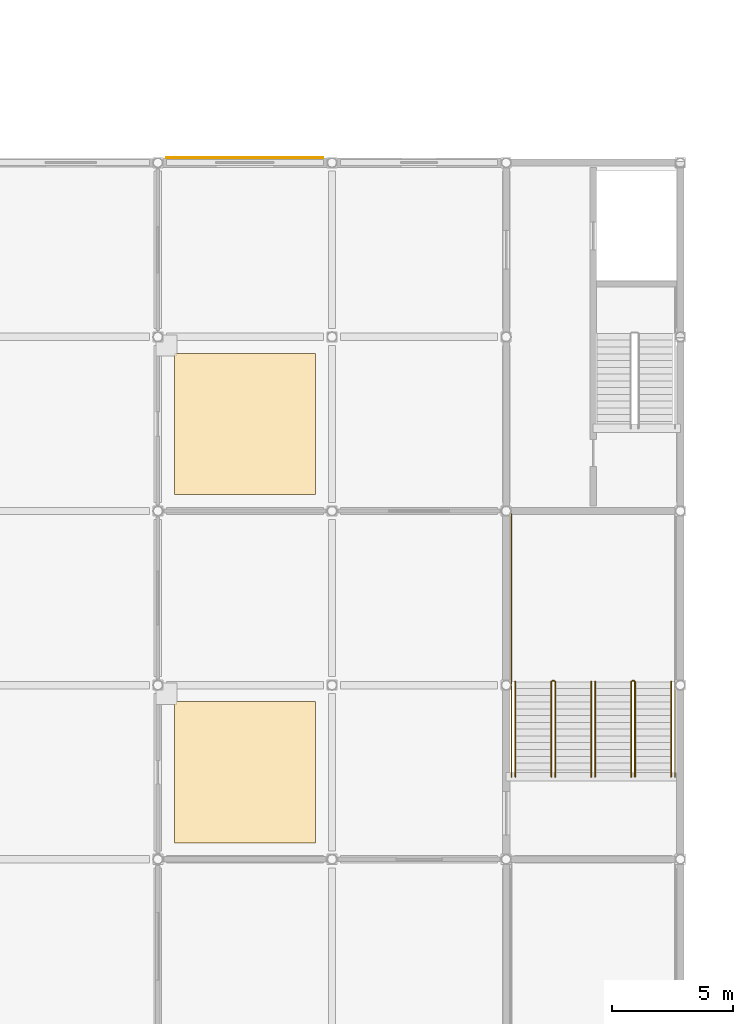
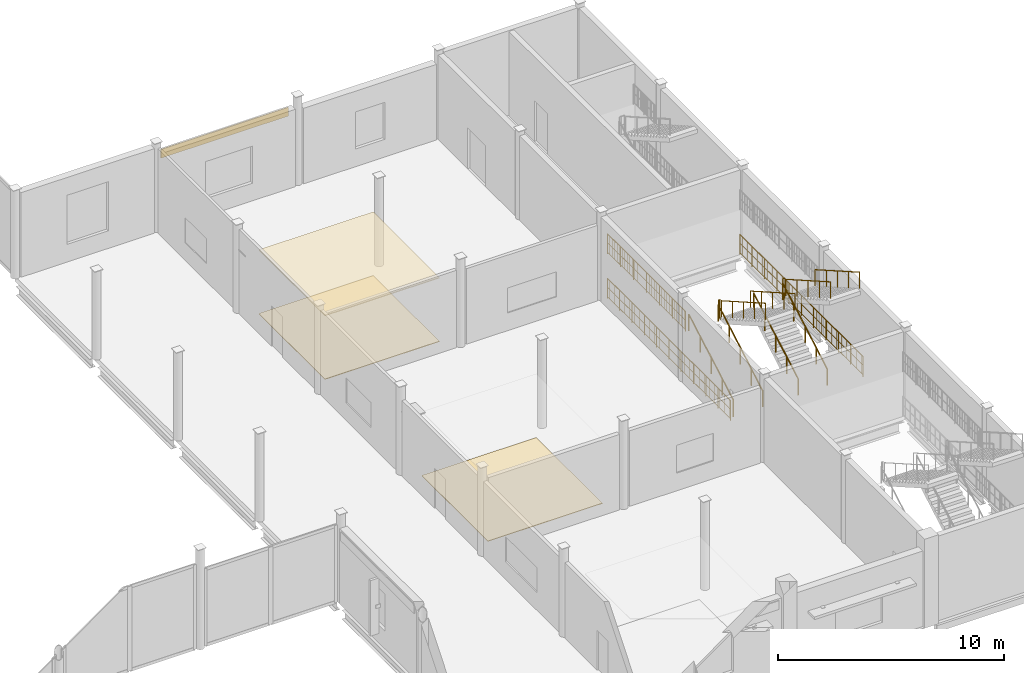
# One storey, part 119 of 120: 13 railings, 4 coverings.
"""IFC4 building model written with IfcOpenShell, lengths in metres."""

from ifc_helpers import new_model, si_unit, direction, frame, frame_2d, origin, origin_2d, place, context, subcontext, project, spatial, polyline, rectangle, circle, outline, extrude, material, layer, layer_set, type_object, element, save


model = new_model("IFC4")

# Units and contexts
model_context = context("Model", 3, precision=1e-05, world=origin(), true_north=direction((0.0, 1.0)))
body_context = subcontext(model_context, "Body", "Model", "MODEL_VIEW")
ifc_project = project(units=[si_unit("LENGTHUNIT", "METRE"), si_unit("AREAUNIT", "SQUARE_METRE"), si_unit("VOLUMEUNIT", "CUBIC_METRE"), si_unit("PLANEANGLEUNIT", "RADIAN"), si_unit("MASSUNIT", "GRAM", prefix="KILO")], contexts=[model_context])

# Site, building, storey
site_placement = place(None, origin())
site = spatial("IfcSite", under=ifc_project, at=site_placement, CompositionType="ELEMENT")
building_placement = place(site_placement, origin())
building = spatial("IfcBuilding", under=site, at=building_placement, Name="Vesperath Aquatics Centre", CompositionType="ELEMENT")
storey_placement = place(building_placement, frame((0.0, 0.0, 10.199951171875)))
storey = spatial("IfcBuildingStorey", under=building, at=storey_placement, Name="L02", CompositionType="ELEMENT", Elevation=10.199951171875)

# Coverings
ifc_material_1 = material(Name="Teal and ochre glazed ceramic majolica frieze", Category="ceramic")
ifc_layer_1 = layer(ifc_material_1, 0.0400390625)
ifc_layer_set_1 = layer_set([ifc_layer_1], Name="Teal and ochre glazed ceramic majolica frieze")
covering_type_1 = type_object("IfcCoveringType", Name="CV-CLD01", PredefinedType="CLADDING", material=ifc_layer_set_1)
covering_1_placement = place(storey_placement, frame((151.55322265625, 93.81005859375, 3.6201171875), z_axis=(0.0, 0.0, 1.0), x_axis=(1.0, 0.0, 0.0)))
element("IfcCovering", 1, at=covering_1_placement, inside=storey, type_object=covering_type_1, Name="Majolica Ceramic Frieze CLD1 L02_N_21_13", PredefinedType="CLADDING", context=body_context, shape_type="SweptSolid", body=[
    extrude(rectangle(XDim=6.49365234375, YDim=0.0400390625, at=frame_2d((3.246826171875, 0.0))), origin(), (0.0, 0.0, 1.0), 0.469970703125),
])
ifc_material_2 = material(Name="Perforated moisture-resistant acoustic mineral-fibre ceiling", Category="gypsum")
ifc_layer_2 = layer(ifc_material_2, 0.044921875)
ifc_layer_set_2 = layer_set([ifc_layer_2], Name="Perforated moisture-resistant acoustic mineral-fibre ceiling")
covering_type_2 = type_object("IfcCoveringType", Name="CV-CLG01", PredefinedType="CEILING", material=ifc_layer_set_2)
covering_2_placement = place(storey_placement, frame((0.0, 0.0, 3.425048828125)))
element("IfcCovering", 2, at=covering_2_placement, inside=storey, type_object=covering_type_2, Name="Acoustic Suspended Ceiling CLG1 L02_CLUB_3", PredefinedType="CEILING", context=body_context, shape_type="SweptSolid", body=[
    extrude(outline(polyline([(151.8798828125, 79.8798828125), (157.719970703125, 79.8798828125), (157.719970703125, 85.719970703125), (151.8798828125, 85.719970703125), (151.8798828125, 79.8798828125)])), origin(), (0.0, 0.0, 1.0), 0.044921875),
])
ifc_material_3 = material(Name="Slip-resistant vitrified ceramic and terrazzo flooring", Category="ceramic")
ifc_layer_3 = layer(ifc_material_3, 0.030029296875)
ifc_layer_set_3 = layer_set([ifc_layer_3], Name="Slip-resistant vitrified ceramic and terrazzo flooring")
covering_type_3 = type_object("IfcCoveringType", Name="CV-FLR01", PredefinedType="FLOORING", material=ifc_layer_set_3)
covering_3_placement = place(storey_placement, origin())
element("IfcCovering", 3, at=covering_3_placement, inside=storey, type_object=covering_type_3, Name="Slip-Resistant Floor Finish FLR1 L02_CLUB_2", PredefinedType="FLOORING", context=body_context, shape_type="SweptSolid", body=[
    extrude(outline(polyline([(151.8798828125, 65.47998046875), (157.719970703125, 65.47998046875), (157.719970703125, 71.320068359375), (151.8798828125, 71.320068359375), (151.8798828125, 65.47998046875)])), origin(), (0.0, 0.0, 1.0), 0.030029296875),
])
covering_4_placement = place(storey_placement, origin())
element("IfcCovering", 4, at=covering_4_placement, inside=storey, type_object=covering_type_3, Name="Slip-Resistant Floor Finish FLR1 L02_CLUB_3", PredefinedType="FLOORING", context=body_context, shape_type="SweptSolid", body=[
    extrude(outline(polyline([(151.8798828125, 79.8798828125), (157.719970703125, 79.8798828125), (157.719970703125, 85.719970703125), (151.8798828125, 85.719970703125), (151.8798828125, 79.8798828125)])), origin(), (0.0, 0.0, 1.0), 0.030029296875),
])

# Railings
ifc_material_4 = material(Name="Powder-coated galvanized steel safety guard", Category="steel")
railing_type_1 = type_object("IfcRailingType", Name="RL-GRD01", PredefinedType="GUARDRAIL", material=ifc_material_4)
railing_1_placement = place(storey_placement, frame((167.5, 72.179931640625, 2.400146484375)))
element("IfcRailing", 5, at=railing_1_placement, inside=storey, type_object=railing_type_1, Name="Stair ST13A Half-Landing Slot Guard GR02 L02", PredefinedType="GUARDRAIL", context=body_context, shape_type="SweptSolid", body=[
    extrude(circle(Radius=0.02392578125, at=origin_2d()), frame((0.0, 0.0, 1.0859375), z_axis=(1.0, 0.0, 0.0), x_axis=(0.0, 1.0, 0.0)), (0.0, 0.0, 1.0), 0.10009765625),
    extrude(circle(Radius=0.01611328125, at=origin_2d()), frame((0.0, 0.0, 0.10009765625), z_axis=(1.0, 0.0, 0.0), x_axis=(0.0, 1.0, 0.0)), (0.0, 0.0, 1.0), 0.10009765625),
    extrude(circle(Radius=0.01611328125, at=origin_2d()), frame((0.0, 0.0, 0.610595703125), z_axis=(1.0, 0.0, 0.0), x_axis=(0.0, 1.0, 0.0)), (0.0, 0.0, 1.0), 0.10009765625),
    extrude(circle(Radius=0.009033203125, at=origin_2d()), frame((0.050048828125, 0.0, 0.10009765625)), (0.0, 0.0, 1.0), 0.9619140625),
    extrude(circle(Radius=0.02197265625, at=origin_2d()), origin(), (0.0, 0.0, 1.0), 1.0859375),
    extrude(circle(Radius=0.02197265625, at=origin_2d()), frame((0.10009765625, 0.0, 0.0)), (0.0, 0.0, 1.0), 1.0859375),
])
railing_2_placement = place(storey_placement, frame((165.820068359375, 72.179931640625, 2.400146484375)))
element("IfcRailing", 6, at=railing_2_placement, inside=storey, type_object=railing_type_1, Name="Stair ST13A Half-Landing Wall Guard GR02 L02", PredefinedType="GUARDRAIL", context=body_context, shape_type="SweptSolid", body=[
    extrude(circle(Radius=0.02392578125, at=origin_2d()), frame((0.0, 0.0, 1.0859375), z_axis=(0.0, 1.0, 0.0), x_axis=(-1.0, 0.0, 0.0)), (0.0, 0.0, 1.0), 6.89013671875),
    extrude(circle(Radius=0.01611328125, at=origin_2d()), frame((0.0, 0.0, 0.10009765625), z_axis=(0.0, 1.0, 0.0), x_axis=(-1.0, 0.0, 0.0)), (0.0, 0.0, 1.0), 6.89013671875),
    extrude(circle(Radius=0.01611328125, at=origin_2d()), frame((0.0, 0.0, 0.610595703125), z_axis=(0.0, 1.0, 0.0), x_axis=(-1.0, 0.0, 0.0)), (0.0, 0.0, 1.0), 6.89013671875),
    extrude(circle(Radius=0.009033203125, at=origin_2d()), frame((0.0, 0.109375, 0.10009765625)), (0.0, 0.0, 1.0), 0.9619140625),
    extrude(circle(Radius=0.009033203125, at=origin_2d()), frame((0.0, 0.328125, 0.10009765625)), (0.0, 0.0, 1.0), 0.9619140625),
    extrude(circle(Radius=0.009033203125, at=origin_2d()), frame((0.0, 0.546875, 0.10009765625)), (0.0, 0.0, 1.0), 0.9619140625),
    extrude(circle(Radius=0.009033203125, at=origin_2d()), frame((0.0, 0.765625, 0.10009765625)), (0.0, 0.0, 1.0), 0.9619140625),
    extrude(circle(Radius=0.009033203125, at=origin_2d()), frame((0.0, 0.984375, 0.10009765625)), (0.0, 0.0, 1.0), 0.9619140625),
    extrude(circle(Radius=0.009033203125, at=origin_2d()), frame((0.0, 1.203125, 0.10009765625)), (0.0, 0.0, 1.0), 0.9619140625),
    extrude(circle(Radius=0.009033203125, at=origin_2d()), frame((0.0, 1.421875, 0.10009765625)), (0.0, 0.0, 1.0), 0.9619140625),
    extrude(circle(Radius=0.009033203125, at=origin_2d()), frame((0.0, 1.640625, 0.10009765625)), (0.0, 0.0, 1.0), 0.9619140625),
    extrude(circle(Radius=0.009033203125, at=origin_2d()), frame((0.0, 1.859130859375, 0.10009765625)), (0.0, 0.0, 1.0), 0.9619140625),
    extrude(circle(Radius=0.009033203125, at=origin_2d()), frame((0.0, 2.077880859375, 0.10009765625)), (0.0, 0.0, 1.0), 0.9619140625),
    extrude(circle(Radius=0.009033203125, at=origin_2d()), frame((0.0, 2.296630859375, 0.10009765625)), (0.0, 0.0, 1.0), 0.9619140625),
    extrude(circle(Radius=0.009033203125, at=origin_2d()), frame((0.0, 2.515380859375, 0.10009765625)), (0.0, 0.0, 1.0), 0.9619140625),
    extrude(circle(Radius=0.009033203125, at=origin_2d()), frame((0.0, 2.734130859375, 0.10009765625)), (0.0, 0.0, 1.0), 0.9619140625),
    extrude(circle(Radius=0.009033203125, at=origin_2d()), frame((0.0, 2.952880859375, 0.10009765625)), (0.0, 0.0, 1.0), 0.9619140625),
    extrude(circle(Radius=0.009033203125, at=origin_2d()), frame((0.0, 3.171630859375, 0.10009765625)), (0.0, 0.0, 1.0), 0.9619140625),
    extrude(circle(Radius=0.009033203125, at=origin_2d()), frame((0.0, 3.390380859375, 0.10009765625)), (0.0, 0.0, 1.0), 0.9619140625),
    extrude(circle(Radius=0.009033203125, at=origin_2d()), frame((0.0, 3.609130859375, 0.10009765625)), (0.0, 0.0, 1.0), 0.9619140625),
    extrude(circle(Radius=0.009033203125, at=origin_2d()), frame((0.0, 3.827880859375, 0.10009765625)), (0.0, 0.0, 1.0), 0.9619140625),
    extrude(circle(Radius=0.009033203125, at=origin_2d()), frame((0.0, 4.046630859375, 0.10009765625)), (0.0, 0.0, 1.0), 0.9619140625),
    extrude(circle(Radius=0.009033203125, at=origin_2d()), frame((0.0, 4.265380859375, 0.10009765625)), (0.0, 0.0, 1.0), 0.9619140625),
    extrude(circle(Radius=0.009033203125, at=origin_2d()), frame((0.0, 4.484130859375, 0.10009765625)), (0.0, 0.0, 1.0), 0.9619140625),
    extrude(circle(Radius=0.009033203125, at=origin_2d()), frame((0.0, 4.702880859375, 0.10009765625)), (0.0, 0.0, 1.0), 0.9619140625),
    extrude(circle(Radius=0.009033203125, at=origin_2d()), frame((0.0, 4.921630859375, 0.10009765625)), (0.0, 0.0, 1.0), 0.9619140625),
    extrude(circle(Radius=0.009033203125, at=origin_2d()), frame((0.0, 5.140380859375, 0.10009765625)), (0.0, 0.0, 1.0), 0.9619140625),
    extrude(circle(Radius=0.009033203125, at=origin_2d()), frame((0.0, 5.35888671875, 0.10009765625)), (0.0, 0.0, 1.0), 0.9619140625),
    extrude(circle(Radius=0.009033203125, at=origin_2d()), frame((0.0, 5.57763671875, 0.10009765625)), (0.0, 0.0, 1.0), 0.9619140625),
    extrude(circle(Radius=0.009033203125, at=origin_2d()), frame((0.0, 5.79638671875, 0.10009765625)), (0.0, 0.0, 1.0), 0.9619140625),
    extrude(circle(Radius=0.009033203125, at=origin_2d()), frame((0.0, 6.01513671875, 0.10009765625)), (0.0, 0.0, 1.0), 0.9619140625),
    extrude(circle(Radius=0.009033203125, at=origin_2d()), frame((0.0, 6.23388671875, 0.10009765625)), (0.0, 0.0, 1.0), 0.9619140625),
    extrude(circle(Radius=0.009033203125, at=origin_2d()), frame((0.0, 6.45263671875, 0.10009765625)), (0.0, 0.0, 1.0), 0.9619140625),
    extrude(circle(Radius=0.009033203125, at=origin_2d()), frame((0.0, 6.67138671875, 0.10009765625)), (0.0, 0.0, 1.0), 0.9619140625),
    extrude(circle(Radius=0.02197265625, at=origin_2d()), origin(), (0.0, 0.0, 1.0), 1.0859375),
    extrude(circle(Radius=0.02197265625, at=origin_2d()), frame((0.0, 1.1484375, 0.0)), (0.0, 0.0, 1.0), 1.0859375),
    extrude(circle(Radius=0.02197265625, at=origin_2d()), frame((0.0, 2.296630859375, 0.0)), (0.0, 0.0, 1.0), 1.0859375),
    extrude(circle(Radius=0.02197265625, at=origin_2d()), frame((0.0, 3.445068359375, 0.0)), (0.0, 0.0, 1.0), 1.0859375),
    extrude(circle(Radius=0.02197265625, at=origin_2d()), frame((0.0, 4.593505859375, 0.0)), (0.0, 0.0, 1.0), 1.0859375),
    extrude(circle(Radius=0.02197265625, at=origin_2d()), frame((0.0, 5.74169921875, 0.0)), (0.0, 0.0, 1.0), 1.0859375),
    extrude(circle(Radius=0.02197265625, at=origin_2d()), frame((0.0, 6.89013671875, 0.0)), (0.0, 0.0, 1.0), 1.0859375),
])
railing_3_placement = place(storey_placement, frame((165.820068359375, 68.199951171875, 0.0)))
element("IfcRailing", 7, at=railing_3_placement, inside=storey, type_object=railing_type_1, Name="Stair ST13A Shaft Side Guard GR02 L02", PredefinedType="GUARDRAIL", context=body_context, shape_type="SweptSolid", body=[
    extrude(circle(Radius=0.02392578125, at=origin_2d()), frame((0.0, 0.0, 1.0859375), z_axis=(0.0, 1.0, 0.0), x_axis=(-1.0, 0.0, 0.0)), (0.0, 0.0, 1.0), 10.8701171875),
    extrude(circle(Radius=0.01611328125, at=origin_2d()), frame((0.0, 0.0, 0.10009765625), z_axis=(0.0, 1.0, 0.0), x_axis=(-1.0, 0.0, 0.0)), (0.0, 0.0, 1.0), 10.8701171875),
    extrude(circle(Radius=0.01611328125, at=origin_2d()), frame((0.0, 0.0, 0.610595703125), z_axis=(0.0, 1.0, 0.0), x_axis=(-1.0, 0.0, 0.0)), (0.0, 0.0, 1.0), 10.8701171875),
    extrude(circle(Radius=0.009033203125, at=origin_2d()), frame((0.0, 0.10986328125, 0.10009765625)), (0.0, 0.0, 1.0), 0.9619140625),
    extrude(circle(Radius=0.009033203125, at=origin_2d()), frame((0.0, 0.549072265625, 0.10009765625)), (0.0, 0.0, 1.0), 0.9619140625),
    extrude(circle(Radius=0.009033203125, at=origin_2d()), frame((0.0, 0.98828125, 0.10009765625)), (0.0, 0.0, 1.0), 0.9619140625),
    extrude(circle(Radius=0.009033203125, at=origin_2d()), frame((0.0, 1.427490234375, 0.10009765625)), (0.0, 0.0, 1.0), 0.9619140625),
    extrude(circle(Radius=0.009033203125, at=origin_2d()), frame((0.0, 1.86669921875, 0.10009765625)), (0.0, 0.0, 1.0), 0.9619140625),
    extrude(circle(Radius=0.009033203125, at=origin_2d()), frame((0.0, 2.3056640625, 0.10009765625)), (0.0, 0.0, 1.0), 0.9619140625),
    extrude(circle(Radius=0.009033203125, at=origin_2d()), frame((0.0, 2.744873046875, 0.10009765625)), (0.0, 0.0, 1.0), 0.9619140625),
    extrude(circle(Radius=0.009033203125, at=origin_2d()), frame((0.0, 3.18408203125, 0.10009765625)), (0.0, 0.0, 1.0), 0.9619140625),
    extrude(circle(Radius=0.009033203125, at=origin_2d()), frame((0.0, 3.623291015625, 0.10009765625)), (0.0, 0.0, 1.0), 0.9619140625),
    extrude(circle(Radius=0.009033203125, at=origin_2d()), frame((0.0, 4.0625, 0.10009765625)), (0.0, 0.0, 1.0), 0.9619140625),
    extrude(circle(Radius=0.009033203125, at=origin_2d()), frame((0.0, 4.501708984375, 0.10009765625)), (0.0, 0.0, 1.0), 0.9619140625),
    extrude(circle(Radius=0.009033203125, at=origin_2d()), frame((0.0, 4.94091796875, 0.10009765625)), (0.0, 0.0, 1.0), 0.9619140625),
    extrude(circle(Radius=0.009033203125, at=origin_2d()), frame((0.0, 5.380126953125, 0.10009765625)), (0.0, 0.0, 1.0), 0.9619140625),
    extrude(circle(Radius=0.009033203125, at=origin_2d()), frame((0.0, 5.8193359375, 0.10009765625)), (0.0, 0.0, 1.0), 0.9619140625),
    extrude(circle(Radius=0.009033203125, at=origin_2d()), frame((0.0, 6.258544921875, 0.10009765625)), (0.0, 0.0, 1.0), 0.9619140625),
    extrude(circle(Radius=0.009033203125, at=origin_2d()), frame((0.0, 6.69775390625, 0.10009765625)), (0.0, 0.0, 1.0), 0.9619140625),
    extrude(circle(Radius=0.009033203125, at=origin_2d()), frame((0.0, 7.136962890625, 0.10009765625)), (0.0, 0.0, 1.0), 0.9619140625),
    extrude(circle(Radius=0.009033203125, at=origin_2d()), frame((0.0, 7.576171875, 0.10009765625)), (0.0, 0.0, 1.0), 0.9619140625),
    extrude(circle(Radius=0.009033203125, at=origin_2d()), frame((0.0, 8.015380859375, 0.10009765625)), (0.0, 0.0, 1.0), 0.9619140625),
    extrude(circle(Radius=0.009033203125, at=origin_2d()), frame((0.0, 8.45458984375, 0.10009765625)), (0.0, 0.0, 1.0), 0.9619140625),
    extrude(circle(Radius=0.009033203125, at=origin_2d()), frame((0.0, 8.893798828125, 0.10009765625)), (0.0, 0.0, 1.0), 0.9619140625),
    extrude(circle(Radius=0.009033203125, at=origin_2d()), frame((0.0, 9.3330078125, 0.10009765625)), (0.0, 0.0, 1.0), 0.9619140625),
    extrude(circle(Radius=0.009033203125, at=origin_2d()), frame((0.0, 9.772216796875, 0.10009765625)), (0.0, 0.0, 1.0), 0.9619140625),
    extrude(circle(Radius=0.009033203125, at=origin_2d()), frame((0.0, 10.21142578125, 0.10009765625)), (0.0, 0.0, 1.0), 0.9619140625),
    extrude(circle(Radius=0.009033203125, at=origin_2d()), frame((0.0, 10.650634765625, 0.10009765625)), (0.0, 0.0, 1.0), 0.9619140625),
    extrude(circle(Radius=0.02197265625, at=origin_2d()), origin(), (0.0, 0.0, 1.0), 1.0859375),
    extrude(circle(Radius=0.02197265625, at=origin_2d()), frame((0.0, 1.0869140625, 0.0)), (0.0, 0.0, 1.0), 1.0859375),
    extrude(circle(Radius=0.02197265625, at=origin_2d()), frame((0.0, 2.174072265625, 0.0)), (0.0, 0.0, 1.0), 1.0859375),
    extrude(circle(Radius=0.02197265625, at=origin_2d()), frame((0.0, 3.260986328125, 0.0)), (0.0, 0.0, 1.0), 1.0859375),
    extrude(circle(Radius=0.02197265625, at=origin_2d()), frame((0.0, 4.34814453125, 0.0)), (0.0, 0.0, 1.0), 1.0859375),
    extrude(circle(Radius=0.02197265625, at=origin_2d()), frame((0.0, 5.43505859375, 0.0)), (0.0, 0.0, 1.0), 1.0859375),
    extrude(circle(Radius=0.02197265625, at=origin_2d()), frame((0.0, 6.52197265625, 0.0)), (0.0, 0.0, 1.0), 1.0859375),
    extrude(circle(Radius=0.02197265625, at=origin_2d()), frame((0.0, 7.609130859375, 0.0)), (0.0, 0.0, 1.0), 1.0859375),
    extrude(circle(Radius=0.02197265625, at=origin_2d()), frame((0.0, 8.696044921875, 0.0)), (0.0, 0.0, 1.0), 1.0859375),
    extrude(circle(Radius=0.02197265625, at=origin_2d()), frame((0.0, 9.783203125, 0.0)), (0.0, 0.0, 1.0), 1.0859375),
    extrude(circle(Radius=0.02197265625, at=origin_2d()), frame((0.0, 10.8701171875, 0.0)), (0.0, 0.0, 1.0), 1.0859375),
])
railing_4_placement = place(storey_placement, frame((170.800048828125, 72.179931640625, 2.400146484375)))
element("IfcRailing", 8, at=railing_4_placement, inside=storey, type_object=railing_type_1, Name="Stair ST13B Half-Landing Slot Guard GR02 L02", PredefinedType="GUARDRAIL", context=body_context, shape_type="SweptSolid", body=[
    extrude(circle(Radius=0.02392578125, at=origin_2d()), frame((0.0, 0.0, 1.0859375), z_axis=(1.0, 0.0, 0.0), x_axis=(0.0, 1.0, 0.0)), (0.0, 0.0, 1.0), 0.099853515625),
    extrude(circle(Radius=0.01611328125, at=origin_2d()), frame((0.0, 0.0, 0.10009765625), z_axis=(1.0, 0.0, 0.0), x_axis=(0.0, 1.0, 0.0)), (0.0, 0.0, 1.0), 0.099853515625),
    extrude(circle(Radius=0.01611328125, at=origin_2d()), frame((0.0, 0.0, 0.610595703125), z_axis=(1.0, 0.0, 0.0), x_axis=(0.0, 1.0, 0.0)), (0.0, 0.0, 1.0), 0.099853515625),
    extrude(circle(Radius=0.009033203125, at=origin_2d()), frame((0.0498046875, 0.0, 0.10009765625)), (0.0, 0.0, 1.0), 0.9619140625),
    extrude(circle(Radius=0.02197265625, at=origin_2d()), origin(), (0.0, 0.0, 1.0), 1.0859375),
    extrude(circle(Radius=0.02197265625, at=origin_2d()), frame((0.099853515625, 0.0, 0.0)), (0.0, 0.0, 1.0), 1.0859375),
])
railing_5_placement = place(storey_placement, frame((172.580078125, 68.199951171875, 0.0)))
element("IfcRailing", 9, at=railing_5_placement, inside=storey, type_object=railing_type_1, Name="Stair ST13B Shaft Side Guard GR02 L02", PredefinedType="GUARDRAIL", context=body_context, shape_type="SweptSolid", body=[
    extrude(circle(Radius=0.02392578125, at=origin_2d()), frame((0.0, 0.0, 1.0859375), z_axis=(0.0, 1.0, 0.0), x_axis=(-1.0, 0.0, 0.0)), (0.0, 0.0, 1.0), 10.8701171875),
    extrude(circle(Radius=0.01611328125, at=origin_2d()), frame((0.0, 0.0, 0.10009765625), z_axis=(0.0, 1.0, 0.0), x_axis=(-1.0, 0.0, 0.0)), (0.0, 0.0, 1.0), 10.8701171875),
    extrude(circle(Radius=0.01611328125, at=origin_2d()), frame((0.0, 0.0, 0.610595703125), z_axis=(0.0, 1.0, 0.0), x_axis=(-1.0, 0.0, 0.0)), (0.0, 0.0, 1.0), 10.8701171875),
    extrude(circle(Radius=0.009033203125, at=origin_2d()), frame((0.0, 0.10986328125, 0.10009765625)), (0.0, 0.0, 1.0), 0.9619140625),
    extrude(circle(Radius=0.009033203125, at=origin_2d()), frame((0.0, 0.549072265625, 0.10009765625)), (0.0, 0.0, 1.0), 0.9619140625),
    extrude(circle(Radius=0.009033203125, at=origin_2d()), frame((0.0, 0.98828125, 0.10009765625)), (0.0, 0.0, 1.0), 0.9619140625),
    extrude(circle(Radius=0.009033203125, at=origin_2d()), frame((0.0, 1.427490234375, 0.10009765625)), (0.0, 0.0, 1.0), 0.9619140625),
    extrude(circle(Radius=0.009033203125, at=origin_2d()), frame((0.0, 1.86669921875, 0.10009765625)), (0.0, 0.0, 1.0), 0.9619140625),
    extrude(circle(Radius=0.009033203125, at=origin_2d()), frame((0.0, 2.3056640625, 0.10009765625)), (0.0, 0.0, 1.0), 0.9619140625),
    extrude(circle(Radius=0.009033203125, at=origin_2d()), frame((0.0, 2.744873046875, 0.10009765625)), (0.0, 0.0, 1.0), 0.9619140625),
    extrude(circle(Radius=0.009033203125, at=origin_2d()), frame((0.0, 3.18408203125, 0.10009765625)), (0.0, 0.0, 1.0), 0.9619140625),
    extrude(circle(Radius=0.009033203125, at=origin_2d()), frame((0.0, 3.623291015625, 0.10009765625)), (0.0, 0.0, 1.0), 0.9619140625),
    extrude(circle(Radius=0.009033203125, at=origin_2d()), frame((0.0, 4.0625, 0.10009765625)), (0.0, 0.0, 1.0), 0.9619140625),
    extrude(circle(Radius=0.009033203125, at=origin_2d()), frame((0.0, 4.501708984375, 0.10009765625)), (0.0, 0.0, 1.0), 0.9619140625),
    extrude(circle(Radius=0.009033203125, at=origin_2d()), frame((0.0, 4.94091796875, 0.10009765625)), (0.0, 0.0, 1.0), 0.9619140625),
    extrude(circle(Radius=0.009033203125, at=origin_2d()), frame((0.0, 5.380126953125, 0.10009765625)), (0.0, 0.0, 1.0), 0.9619140625),
    extrude(circle(Radius=0.009033203125, at=origin_2d()), frame((0.0, 5.8193359375, 0.10009765625)), (0.0, 0.0, 1.0), 0.9619140625),
    extrude(circle(Radius=0.009033203125, at=origin_2d()), frame((0.0, 6.258544921875, 0.10009765625)), (0.0, 0.0, 1.0), 0.9619140625),
    extrude(circle(Radius=0.009033203125, at=origin_2d()), frame((0.0, 6.69775390625, 0.10009765625)), (0.0, 0.0, 1.0), 0.9619140625),
    extrude(circle(Radius=0.009033203125, at=origin_2d()), frame((0.0, 7.136962890625, 0.10009765625)), (0.0, 0.0, 1.0), 0.9619140625),
    extrude(circle(Radius=0.009033203125, at=origin_2d()), frame((0.0, 7.576171875, 0.10009765625)), (0.0, 0.0, 1.0), 0.9619140625),
    extrude(circle(Radius=0.009033203125, at=origin_2d()), frame((0.0, 8.015380859375, 0.10009765625)), (0.0, 0.0, 1.0), 0.9619140625),
    extrude(circle(Radius=0.009033203125, at=origin_2d()), frame((0.0, 8.45458984375, 0.10009765625)), (0.0, 0.0, 1.0), 0.9619140625),
    extrude(circle(Radius=0.009033203125, at=origin_2d()), frame((0.0, 8.893798828125, 0.10009765625)), (0.0, 0.0, 1.0), 0.9619140625),
    extrude(circle(Radius=0.009033203125, at=origin_2d()), frame((0.0, 9.3330078125, 0.10009765625)), (0.0, 0.0, 1.0), 0.9619140625),
    extrude(circle(Radius=0.009033203125, at=origin_2d()), frame((0.0, 9.772216796875, 0.10009765625)), (0.0, 0.0, 1.0), 0.9619140625),
    extrude(circle(Radius=0.009033203125, at=origin_2d()), frame((0.0, 10.21142578125, 0.10009765625)), (0.0, 0.0, 1.0), 0.9619140625),
    extrude(circle(Radius=0.009033203125, at=origin_2d()), frame((0.0, 10.650634765625, 0.10009765625)), (0.0, 0.0, 1.0), 0.9619140625),
    extrude(circle(Radius=0.02197265625, at=origin_2d()), origin(), (0.0, 0.0, 1.0), 1.0859375),
    extrude(circle(Radius=0.02197265625, at=origin_2d()), frame((0.0, 1.0869140625, 0.0)), (0.0, 0.0, 1.0), 1.0859375),
    extrude(circle(Radius=0.02197265625, at=origin_2d()), frame((0.0, 2.174072265625, 0.0)), (0.0, 0.0, 1.0), 1.0859375),
    extrude(circle(Radius=0.02197265625, at=origin_2d()), frame((0.0, 3.260986328125, 0.0)), (0.0, 0.0, 1.0), 1.0859375),
    extrude(circle(Radius=0.02197265625, at=origin_2d()), frame((0.0, 4.34814453125, 0.0)), (0.0, 0.0, 1.0), 1.0859375),
    extrude(circle(Radius=0.02197265625, at=origin_2d()), frame((0.0, 5.43505859375, 0.0)), (0.0, 0.0, 1.0), 1.0859375),
    extrude(circle(Radius=0.02197265625, at=origin_2d()), frame((0.0, 6.52197265625, 0.0)), (0.0, 0.0, 1.0), 1.0859375),
    extrude(circle(Radius=0.02197265625, at=origin_2d()), frame((0.0, 7.609130859375, 0.0)), (0.0, 0.0, 1.0), 1.0859375),
    extrude(circle(Radius=0.02197265625, at=origin_2d()), frame((0.0, 8.696044921875, 0.0)), (0.0, 0.0, 1.0), 1.0859375),
    extrude(circle(Radius=0.02197265625, at=origin_2d()), frame((0.0, 9.783203125, 0.0)), (0.0, 0.0, 1.0), 1.0859375),
    extrude(circle(Radius=0.02197265625, at=origin_2d()), frame((0.0, 10.8701171875, 0.0)), (0.0, 0.0, 1.0), 1.0859375),
])
ifc_material_5 = material(Name="Brushed stainless steel tubular handrail", Category="steel")
railing_type_2 = type_object("IfcRailingType", Name="RL-HND01", PredefinedType="HANDRAIL", material=ifc_material_5)
railing_6_placement = place(storey_placement, frame((167.469970703125, 68.219970703125, 0.16015625)))
element("IfcRailing", 10, at=railing_6_placement, inside=storey, type_object=railing_type_2, Name="Stair ST13A Flight 1 Handrail HR01 L02", PredefinedType="HANDRAIL", context=body_context, shape_type="SweptSolid", body=[
    extrude(circle(Radius=0.02392578125, at=origin_2d()), frame((0.0, 0.0, 0.8759765625), z_axis=(0.0, 0.868239814368, 0.496144761885), x_axis=(-1.0, 0.0, 0.0)), (0.0, 0.0, 1.0), 4.514892578125),
    extrude(circle(Radius=0.02197265625, at=origin_2d()), origin(), (0.0, 0.0, 1.0), 0.8759765625),
    extrude(circle(Radius=0.02197265625, at=origin_2d()), frame((0.0, 0.97998046875, 0.56005859375)), (0.0, 0.0, 1.0), 0.8759765625),
    extrude(circle(Radius=0.02197265625, at=origin_2d()), frame((0.0, 1.9599609375, 1.1201171875)), (0.0, 0.0, 1.0), 0.8759765625),
    extrude(circle(Radius=0.02197265625, at=origin_2d()), frame((0.0, 2.93994140625, 1.679931640625)), (0.0, 0.0, 1.0), 0.8759765625),
    extrude(circle(Radius=0.02197265625, at=origin_2d()), frame((0.0, 3.919921875, 2.239990234375)), (0.0, 0.0, 1.0), 0.8759765625),
])
railing_7_placement = place(storey_placement, frame((167.6298828125, 72.139892578125, 2.56005859375)))
element("IfcRailing", 11, at=railing_7_placement, inside=storey, type_object=railing_type_2, Name="Stair ST13A Flight 2 Handrail HR01 L02", PredefinedType="HANDRAIL", context=body_context, shape_type="SweptSolid", body=[
    extrude(circle(Radius=0.02392578125, at=origin_2d()), frame((0.0, 0.0, 0.8759765625), z_axis=(0.0, -0.868239814368, 0.496144761885), x_axis=(1.0, 0.0, 0.0)), (0.0, 0.0, 1.0), 4.514892578125),
    extrude(circle(Radius=0.02197265625, at=origin_2d()), origin(), (0.0, 0.0, 1.0), 0.8759765625),
    extrude(circle(Radius=0.02197265625, at=origin_2d()), frame((0.0, -0.97998046875, 0.56005859375)), (0.0, 0.0, 1.0), 0.8759765625),
    extrude(circle(Radius=0.02197265625, at=origin_2d()), frame((0.0, -1.9599609375, 1.1201171875)), (0.0, 0.0, 1.0), 0.8759765625),
    extrude(circle(Radius=0.02197265625, at=origin_2d()), frame((0.0, -2.93994140625, 1.679931640625)), (0.0, 0.0, 1.0), 0.8759765625),
    extrude(circle(Radius=0.02197265625, at=origin_2d()), frame((0.0, -3.919921875, 2.239990234375)), (0.0, 0.0, 1.0), 0.8759765625),
])
railing_8_placement = place(storey_placement, frame((165.97998046875, 68.219970703125, 0.16015625)))
element("IfcRailing", 12, at=railing_8_placement, inside=storey, type_object=railing_type_2, Name="Stair ST13A Flight 1 Handrail HR01 L02", PredefinedType="HANDRAIL", context=body_context, shape_type="SweptSolid", body=[
    extrude(circle(Radius=0.02392578125, at=origin_2d()), frame((0.0, 0.0, 0.8759765625), z_axis=(0.0, 0.868239814368, 0.496144761885), x_axis=(-1.0, 0.0, 0.0)), (0.0, 0.0, 1.0), 4.514892578125),
    extrude(circle(Radius=0.02197265625, at=origin_2d()), origin(), (0.0, 0.0, 1.0), 0.8759765625),
    extrude(circle(Radius=0.02197265625, at=origin_2d()), frame((0.0, 0.97998046875, 0.56005859375)), (0.0, 0.0, 1.0), 0.8759765625),
    extrude(circle(Radius=0.02197265625, at=origin_2d()), frame((0.0, 1.9599609375, 1.1201171875)), (0.0, 0.0, 1.0), 0.8759765625),
    extrude(circle(Radius=0.02197265625, at=origin_2d()), frame((0.0, 2.93994140625, 1.679931640625)), (0.0, 0.0, 1.0), 0.8759765625),
    extrude(circle(Radius=0.02197265625, at=origin_2d()), frame((0.0, 3.919921875, 2.239990234375)), (0.0, 0.0, 1.0), 0.8759765625),
])
railing_9_placement = place(storey_placement, frame((169.1201171875, 72.139892578125, 2.56005859375)))
element("IfcRailing", 13, at=railing_9_placement, inside=storey, type_object=railing_type_2, Name="Stair ST13A Flight 2 Handrail HR01 L02", PredefinedType="HANDRAIL", context=body_context, shape_type="SweptSolid", body=[
    extrude(circle(Radius=0.02392578125, at=origin_2d()), frame((0.0, 0.0, 0.8759765625), z_axis=(0.0, -0.868239814368, 0.496144761885), x_axis=(1.0, 0.0, 0.0)), (0.0, 0.0, 1.0), 4.514892578125),
    extrude(circle(Radius=0.02197265625, at=origin_2d()), origin(), (0.0, 0.0, 1.0), 0.8759765625),
    extrude(circle(Radius=0.02197265625, at=origin_2d()), frame((0.0, -0.97998046875, 0.56005859375)), (0.0, 0.0, 1.0), 0.8759765625),
    extrude(circle(Radius=0.02197265625, at=origin_2d()), frame((0.0, -1.9599609375, 1.1201171875)), (0.0, 0.0, 1.0), 0.8759765625),
    extrude(circle(Radius=0.02197265625, at=origin_2d()), frame((0.0, -2.93994140625, 1.679931640625)), (0.0, 0.0, 1.0), 0.8759765625),
    extrude(circle(Radius=0.02197265625, at=origin_2d()), frame((0.0, -3.919921875, 2.239990234375)), (0.0, 0.0, 1.0), 0.8759765625),
])
railing_10_placement = place(storey_placement, frame((170.77001953125, 68.219970703125, 0.16015625)))
element("IfcRailing", 14, at=railing_10_placement, inside=storey, type_object=railing_type_2, Name="Stair ST13B Flight 1 Handrail HR01 L02", PredefinedType="HANDRAIL", context=body_context, shape_type="SweptSolid", body=[
    extrude(circle(Radius=0.02392578125, at=origin_2d()), frame((0.0, 0.0, 0.8759765625), z_axis=(0.0, 0.868239814368, 0.496144761885), x_axis=(-1.0, 0.0, 0.0)), (0.0, 0.0, 1.0), 4.514892578125),
    extrude(circle(Radius=0.02197265625, at=origin_2d()), origin(), (0.0, 0.0, 1.0), 0.8759765625),
    extrude(circle(Radius=0.02197265625, at=origin_2d()), frame((0.0, 0.97998046875, 0.56005859375)), (0.0, 0.0, 1.0), 0.8759765625),
    extrude(circle(Radius=0.02197265625, at=origin_2d()), frame((0.0, 1.9599609375, 1.1201171875)), (0.0, 0.0, 1.0), 0.8759765625),
    extrude(circle(Radius=0.02197265625, at=origin_2d()), frame((0.0, 2.93994140625, 1.679931640625)), (0.0, 0.0, 1.0), 0.8759765625),
    extrude(circle(Radius=0.02197265625, at=origin_2d()), frame((0.0, 3.919921875, 2.239990234375)), (0.0, 0.0, 1.0), 0.8759765625),
])
railing_11_placement = place(storey_placement, frame((170.929931640625, 72.139892578125, 2.56005859375)))
element("IfcRailing", 15, at=railing_11_placement, inside=storey, type_object=railing_type_2, Name="Stair ST13B Flight 2 Handrail HR01 L02", PredefinedType="HANDRAIL", context=body_context, shape_type="SweptSolid", body=[
    extrude(circle(Radius=0.02392578125, at=origin_2d()), frame((0.0, 0.0, 0.8759765625), z_axis=(0.0, -0.868239814368, 0.496144761885), x_axis=(1.0, 0.0, 0.0)), (0.0, 0.0, 1.0), 4.514892578125),
    extrude(circle(Radius=0.02197265625, at=origin_2d()), origin(), (0.0, 0.0, 1.0), 0.8759765625),
    extrude(circle(Radius=0.02197265625, at=origin_2d()), frame((0.0, -0.97998046875, 0.56005859375)), (0.0, 0.0, 1.0), 0.8759765625),
    extrude(circle(Radius=0.02197265625, at=origin_2d()), frame((0.0, -1.9599609375, 1.1201171875)), (0.0, 0.0, 1.0), 0.8759765625),
    extrude(circle(Radius=0.02197265625, at=origin_2d()), frame((0.0, -2.93994140625, 1.679931640625)), (0.0, 0.0, 1.0), 0.8759765625),
    extrude(circle(Radius=0.02197265625, at=origin_2d()), frame((0.0, -3.919921875, 2.239990234375)), (0.0, 0.0, 1.0), 0.8759765625),
])
railing_12_placement = place(storey_placement, frame((169.280029296875, 68.219970703125, 0.16015625)))
element("IfcRailing", 16, at=railing_12_placement, inside=storey, type_object=railing_type_2, Name="Stair ST13B Flight 1 Handrail HR01 L02", PredefinedType="HANDRAIL", context=body_context, shape_type="SweptSolid", body=[
    extrude(circle(Radius=0.02392578125, at=origin_2d()), frame((0.0, 0.0, 0.8759765625), z_axis=(0.0, 0.868239814368, 0.496144761885), x_axis=(-1.0, 0.0, 0.0)), (0.0, 0.0, 1.0), 4.514892578125),
    extrude(circle(Radius=0.02197265625, at=origin_2d()), origin(), (0.0, 0.0, 1.0), 0.8759765625),
    extrude(circle(Radius=0.02197265625, at=origin_2d()), frame((0.0, 0.97998046875, 0.56005859375)), (0.0, 0.0, 1.0), 0.8759765625),
    extrude(circle(Radius=0.02197265625, at=origin_2d()), frame((0.0, 1.9599609375, 1.1201171875)), (0.0, 0.0, 1.0), 0.8759765625),
    extrude(circle(Radius=0.02197265625, at=origin_2d()), frame((0.0, 2.93994140625, 1.679931640625)), (0.0, 0.0, 1.0), 0.8759765625),
    extrude(circle(Radius=0.02197265625, at=origin_2d()), frame((0.0, 3.919921875, 2.239990234375)), (0.0, 0.0, 1.0), 0.8759765625),
])
railing_13_placement = place(storey_placement, frame((172.419921875, 72.139892578125, 2.56005859375)))
element("IfcRailing", 17, at=railing_13_placement, inside=storey, type_object=railing_type_2, Name="Stair ST13B Flight 2 Handrail HR01 L02", PredefinedType="HANDRAIL", context=body_context, shape_type="SweptSolid", body=[
    extrude(circle(Radius=0.02392578125, at=origin_2d()), frame((0.0, 0.0, 0.8759765625), z_axis=(0.0, -0.868239814368, 0.496144761885), x_axis=(1.0, 0.0, 0.0)), (0.0, 0.0, 1.0), 4.514892578125),
    extrude(circle(Radius=0.02197265625, at=origin_2d()), origin(), (0.0, 0.0, 1.0), 0.8759765625),
    extrude(circle(Radius=0.02197265625, at=origin_2d()), frame((0.0, -0.97998046875, 0.56005859375)), (0.0, 0.0, 1.0), 0.8759765625),
    extrude(circle(Radius=0.02197265625, at=origin_2d()), frame((0.0, -1.9599609375, 1.1201171875)), (0.0, 0.0, 1.0), 0.8759765625),
    extrude(circle(Radius=0.02197265625, at=origin_2d()), frame((0.0, -2.93994140625, 1.679931640625)), (0.0, 0.0, 1.0), 0.8759765625),
    extrude(circle(Radius=0.02197265625, at=origin_2d()), frame((0.0, -3.919921875, 2.239990234375)), (0.0, 0.0, 1.0), 0.8759765625),
])

save(model, "model.ifc")
